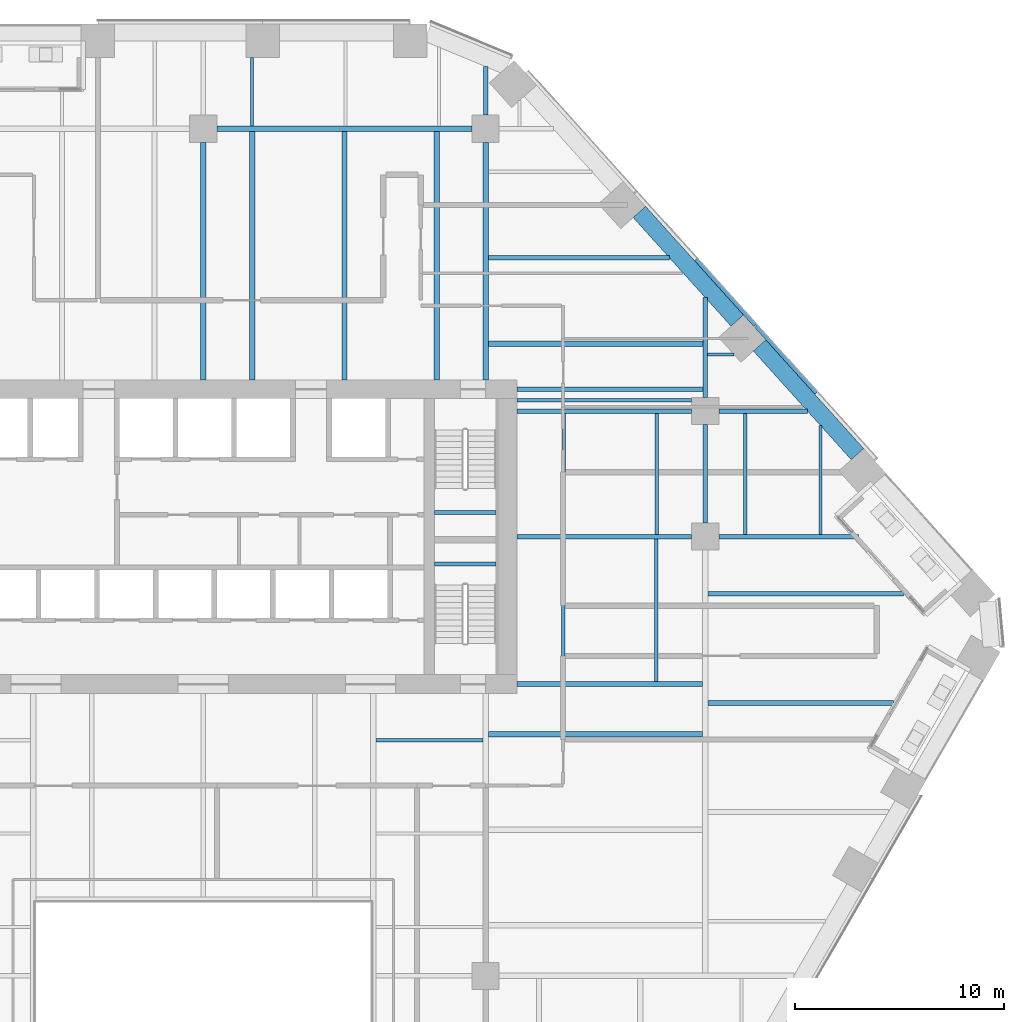
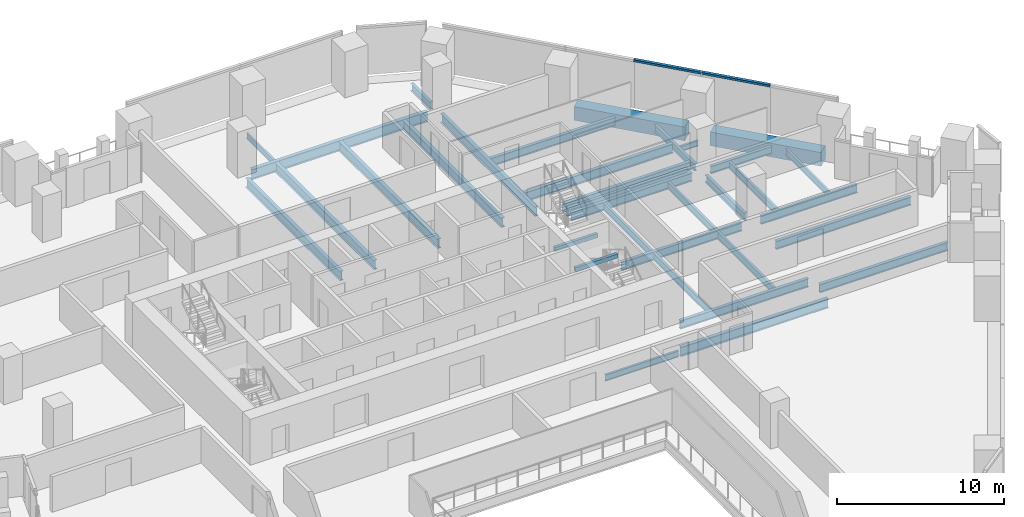
# One storey, part 12 of 31: 34 beams, 2 members, 1 element without a shape of its own.
"""IFC4 building model written with IfcOpenShell, lengths in metres."""

from ifc_helpers import new_model, si_unit, direction, frame, origin, origin_2d, place, context, subcontext, project, spatial, rectangle, i_section, extrude, material, layer, layer_set, material_profile, profile_set, type_object, element, aggregate, save


model = new_model("IFC4")

# Units and contexts
model_context = context("Model", 3, precision=1e-05, world=origin(), true_north=direction((0.0, 1.0)))
body_context = subcontext(model_context, "Body", "Model", "MODEL_VIEW")
ifc_project = project(units=[si_unit("LENGTHUNIT", "METRE"), si_unit("AREAUNIT", "SQUARE_METRE"), si_unit("VOLUMEUNIT", "CUBIC_METRE"), si_unit("PLANEANGLEUNIT", "RADIAN"), si_unit("MASSUNIT", "GRAM", prefix="KILO")], contexts=[model_context])

# Site, building, storey
site_placement = place(None, origin())
site = spatial("IfcSite", under=ifc_project, at=site_placement, CompositionType="ELEMENT")
building_placement = place(site_placement, origin())
building = spatial("IfcBuilding", under=site, at=building_placement, Name="Isthmus Gate Tower", CompositionType="ELEMENT")
storey_placement = place(building_placement, frame((0.0, 0.0, 113.5)))
storey = spatial("IfcBuildingStorey", under=building, at=storey_placement, Name="L27", CompositionType="ELEMENT", Elevation=113.5)

# Curtain wall, members
ifc_material_1 = material(Name="Aluminium, pale champagne anodised", Category="aluminium")
ifc_layer = layer(ifc_material_1, 0.199951171875)
ifc_layer_set = layer_set([ifc_layer], Name="CW-1 UNITISED CURTAIN WALL 200 DEEP")
curtain_wall_type = type_object("IfcCurtainWallType", Name="CW-1 UNITISED CURTAIN WALL 200 DEEP", PredefinedType="NOTDEFINED", material=ifc_layer_set)
curtain_wall_placement = place(storey_placement, origin())
curtain_wall = element("IfcCurtainWall", 1, at=curtain_wall_placement, inside=storey, type_object=curtain_wall_type, Name="CW-1 NE L27", PredefinedType="NOTDEFINED")
ifc_material_2 = material(Name="Aluminium, pale champagne anodised", Category="aluminium")
ifc_material_profile_1 = material_profile(ifc_material_2, rectangle(XDim=0.199951171875, YDim=0.14990234375, at=origin_2d()), Name="200x150")
ifc_profile_set_1 = profile_set([ifc_material_profile_1], Name="Aluminium, pale champagne anodised")
member_type = type_object("IfcMemberType", Name="CW-1 TRANSOM 200 X 150", PredefinedType="USERDEFINED", material=ifc_profile_set_1)
member_1_placement = place(storey_placement, frame((29.307861328125, 14.3779296875, 3.574951171875), z_axis=(-0.6690997736, 0.74317258626, 0.0), x_axis=(-0.74317258626, -0.6690997736, 0.0)))
member_1 = element("IfcMember", 2, at=member_1_placement, type_object=member_type, Name="CW-1 transom", ObjectType="TRANSOM", PredefinedType="USERDEFINED", context=body_context, shape_type="SweptSolid", body=[
    extrude(rectangle(XDim=0.199951171875, YDim=0.14990234375, at=origin_2d()), origin(), (0.0, 0.0, 1.0), 4.294677734375),
])
member_2_placement = place(storey_placement, frame((26.39404296875, 17.614013671875, 3.574951171875), z_axis=(-0.669123979474, 0.743150792298, 0.0), x_axis=(-0.743150792298, -0.669123979474, 0.0)))
member_2 = element("IfcMember", 3, at=member_2_placement, type_object=member_type, Name="CW-1 transom", ObjectType="TRANSOM", PredefinedType="USERDEFINED", context=body_context, shape_type="SweptSolid", body=[
    extrude(rectangle(XDim=0.199951171875, YDim=0.14990234375, at=origin_2d()), origin(), (0.0, 0.0, 1.0), 4.234619140625),
])
aggregate(curtain_wall, [member_1, member_2])

# Beams
ifc_material_3 = material(Name="Concrete f'c 70 MPa", Category="concrete")
ifc_material_profile_2 = material_profile(ifc_material_3, rectangle(XDim=0.800048828125, YDim=1.0, at=origin_2d()), Name="RC 800X1000")
ifc_profile_set_2 = profile_set([ifc_material_profile_2], Name="Concrete f'c 70 MPa")
beam_type_1 = type_object("IfcBeamType", Name="RC SPANDREL 800 X 1000", PredefinedType="SPANDREL", material=ifc_profile_set_2)
for number, where, z_axis, x_axis, name in (
    (4, (20.8505859375, 23.0234375, -0.5), (0.669128753615, -0.743146493691, 0.0), (0.743146493691, 0.669128753615, 0.0), "str-spandrel-L27-02"),
    (5, (26.597900390625, 16.640380859375, -0.5), (0.669128753615, -0.743146493691, 0.0), (0.743146493691, 0.669128753615, 0.0), "str-spandrel-L27-03"),
):
    element("IfcBeam", number, at=place(storey_placement, frame(where, z_axis=z_axis, x_axis=x_axis)), inside=storey, type_object=beam_type_1, Name=name, PredefinedType="SPANDREL", context=body_context, shape_type="SweptSolid", body=[
        extrude(rectangle(XDim=0.800048828125, YDim=1.0, at=origin_2d()), origin(), (0.0, 0.0, 1.0), 6.9892578125),
    ])
ifc_material_4 = material(Name="Concrete f'c 40 MPa", Category="concrete")
ifc_material_profile_3 = material_profile(ifc_material_4, rectangle(XDim=0.199951171875, YDim=0.300048828125, at=origin_2d()), Name="STAIR LANDING BEAM RC 200 X 300")
ifc_profile_set_3 = profile_set([ifc_material_profile_3], Name="Concrete f'c 40 MPa")
beam_type_2 = type_object("IfcBeamType", Name="STAIR LANDING BEAM RC 200 X 300", PredefinedType="BEAM", material=ifc_profile_set_3)
for number, where, z_axis, x_axis, name in (
    (6, (11.050048828125, 8.64990234375, 1.47509765625), (1.0, 0.0, 0.0), (0.0, 1.0, 0.0), "L27 ST2 landing beam 1"),
    (7, (11.050048828125, 6.199951171875, 1.47509765625), (1.0, 0.0, 0.0), (0.0, 1.0, 0.0), "L27 ST8 landing beam 1"),
):
    element("IfcBeam", number, at=place(storey_placement, frame(where, z_axis=z_axis, x_axis=x_axis)), inside=storey, type_object=beam_type_2, Name=name, PredefinedType="BEAM", context=body_context, shape_type="SweptSolid", body=[
        extrude(rectangle(XDim=0.199951171875, YDim=0.300048828125, at=origin_2d()), origin(), (0.0, 0.0, 1.0), 2.949951171875),
    ])
ifc_material_5 = material(Name="Structural steel ASTM A992 Gr 50", Category="steel")
ifc_material_profile_4 = material_profile(ifc_material_5, i_section(OverallWidth=0.1396484375, OverallDepth=0.4033203125, WebThickness=0.00634765625, FlangeThickness=0.010986328125, at=origin_2d()), Name="W16X31")
ifc_profile_set_4 = profile_set([ifc_material_profile_4], Name="Structural steel ASTM A992 Gr 50")
beam_type_3 = type_object("IfcBeamType", Name="STEEL FLOOR BEAM W16X31", PredefinedType="JOIST", material=ifc_profile_set_4)
beam_1_placement = place(storey_placement, frame((2.33740234375, 27.1318359375, -0.3515625), z_axis=(0.0, 1.0, 0.0), x_axis=(-1.0, 0.0, 0.0)))
element("IfcBeam", 8, at=beam_1_placement, inside=storey, type_object=beam_type_3, Name="str-beam-L27-23-00", PredefinedType="JOIST", context=body_context, shape_type="SweptSolid", body=[
    extrude(i_section(OverallWidth=0.1396484375, OverallDepth=0.4033203125, WebThickness=0.00634765625, FlangeThickness=0.010986328125, at=origin_2d()), origin(), (0.0, 0.0, 1.0), 3.26806640625),
])
beam_2_placement = place(storey_placement, frame((24.104736328125, 16.208251953125, -0.3515625), z_axis=(1.0, 0.0, 0.0), x_axis=(0.0, 1.0, 0.0)))
element("IfcBeam", 9, at=beam_2_placement, inside=storey, type_object=beam_type_3, Name="str-beam-L27-36-00", PredefinedType="JOIST", context=body_context, shape_type="SweptSolid", body=[
    extrude(i_section(OverallWidth=0.1396484375, OverallDepth=0.4033203125, WebThickness=0.00634765625, FlangeThickness=0.010986328125, at=origin_2d()), origin(), (0.0, 0.0, 1.0), 1.267578125),
])
ifc_material_6 = material(Name="Structural steel ASTM A992 Gr 50", Category="steel")
ifc_material_profile_5 = material_profile(ifc_material_6, i_section(OverallWidth=0.15234375, OverallDepth=0.45068359375, WebThickness=0.0078125, FlangeThickness=0.010986328125, at=origin_2d()), Name="W18X35")
ifc_profile_set_5 = profile_set([ifc_material_profile_5], Name="Structural steel ASTM A992 Gr 50")
beam_type_4 = type_object("IfcBeamType", Name="STEEL FLOOR BEAM W18X35", PredefinedType="JOIST", material=ifc_profile_set_5)
beam_3_placement = place(storey_placement, frame((8.263427734375, -2.232421875, -0.37548828125), z_axis=(1.0, 0.0, 0.0), x_axis=(0.0, 1.0, 0.0)))
element("IfcBeam", 10, at=beam_3_placement, inside=storey, type_object=beam_type_4, Name="str-beam-L27-27-02", PredefinedType="JOIST", context=body_context, shape_type="SweptSolid", body=[
    extrude(i_section(OverallWidth=0.15234375, OverallDepth=0.45068359375, WebThickness=0.0078125, FlangeThickness=0.010986328125, at=origin_2d()), origin(), (0.0, 0.0, 1.0), 5.104736328125),
])
beam_4_placement = place(storey_placement, frame((29.51123046875, 7.6142578125, -0.37548828125), z_axis=(0.0, 1.0, 0.0), x_axis=(-1.0, 0.0, 0.0)))
element("IfcBeam", 11, at=beam_4_placement, inside=storey, type_object=beam_type_4, Name="str-beam-L27-37-01", PredefinedType="JOIST", context=body_context, shape_type="SweptSolid", body=[
    extrude(i_section(OverallWidth=0.15234375, OverallDepth=0.45068359375, WebThickness=0.0078125, FlangeThickness=0.010986328125, at=origin_2d()), origin(), (0.0, 0.0, 1.0), 5.19287109375),
])
ifc_material_7 = material(Name="Structural steel ASTM A992 Gr 50", Category="steel")
ifc_material_profile_6 = material_profile(ifc_material_7, i_section(OverallWidth=0.1650390625, OverallDepth=0.52392578125, WebThickness=0.009521484375, FlangeThickness=0.010986328125, at=origin_2d()), Name="W21X44")
ifc_profile_set_6 = profile_set([ifc_material_profile_6], Name="Structural steel ASTM A992 Gr 50")
beam_type_5 = type_object("IfcBeamType", Name="STEEL FLOOR BEAM W21X44", PredefinedType="JOIST", material=ifc_profile_set_6)
for number, where, z_axis, x_axis, name in (
    (12, (17.223876953125, 7.6142578125, -0.411865234375), (0.0, 1.0, 0.0), (-1.0, 0.0, 0.0), "str-beam-L27-34-00"),
    (13, (21.67138671875, 7.6142578125, -0.411865234375), (0.0, 1.0, 0.0), (-1.0, 0.0, 0.0), "str-beam-L27-34-01"),
):
    element("IfcBeam", number, at=place(storey_placement, frame(where, z_axis=z_axis, x_axis=x_axis)), inside=storey, type_object=beam_type_5, Name=name, PredefinedType="JOIST", context=body_context, shape_type="SweptSolid", body=[
        extrude(i_section(OverallWidth=0.1650390625, OverallDepth=0.52392578125, WebThickness=0.009521484375, FlangeThickness=0.010986328125, at=origin_2d()), origin(), (0.0, 0.0, 1.0), 5.771484375),
    ])
for number, where, z_axis, x_axis, name in (
    (14, (17.216552734375, 0.564208984375, -0.411865234375), (0.0, 1.0, 0.0), (-1.0, 0.0, 0.0), "str-beam-L27-35-00"),
    (15, (21.64990234375, 0.564208984375, -0.411865234375), (0.0, 1.0, 0.0), (-1.0, 0.0, 0.0), "str-beam-L27-35-01"),
):
    element("IfcBeam", number, at=place(storey_placement, frame(where, z_axis=z_axis, x_axis=x_axis)), inside=storey, type_object=beam_type_5, Name=name, PredefinedType="JOIST", context=body_context, shape_type="SweptSolid", body=[
        extrude(i_section(OverallWidth=0.1650390625, OverallDepth=0.52392578125, WebThickness=0.009521484375, FlangeThickness=0.010986328125, at=origin_2d()), origin(), (0.0, 0.0, 1.0), 6.821533203125),
    ])
beam_5_placement = place(storey_placement, frame((25.906982421875, 7.6142578125, -0.411865234375), z_axis=(0.0, 1.0, 0.0), x_axis=(-1.0, 0.0, 0.0)))
element("IfcBeam", 16, at=beam_5_placement, inside=storey, type_object=beam_type_5, Name="str-beam-L27-37-00", PredefinedType="JOIST", context=body_context, shape_type="SweptSolid", body=[
    extrude(i_section(OverallWidth=0.1650390625, OverallDepth=0.52392578125, WebThickness=0.009521484375, FlangeThickness=0.010986328125, at=origin_2d()), origin(), (0.0, 0.0, 1.0), 5.781005859375),
])
ifc_material_8 = material(Name="Structural steel ASTM A992 Gr 50", Category="steel")
ifc_material_profile_7 = material_profile(ifc_material_8, i_section(OverallWidth=0.177734375, OverallDepth=0.60009765625, WebThickness=0.009521484375, FlangeThickness=0.0126953125, at=origin_2d()), Name="W24X55")
ifc_profile_set_7 = profile_set([ifc_material_profile_7], Name="Structural steel ASTM A992 Gr 50")
beam_type_6 = type_object("IfcBeamType", Name="STEEL FLOOR BEAM W24X55", PredefinedType="JOIST", material=ifc_profile_set_7)
beam_6_placement = place(storey_placement, frame((15.0, 14.02490234375, -0.449951171875), z_axis=(1.0, 0.0, 0.0), x_axis=(0.0, 1.0, 0.0)))
element("IfcBeam", 17, at=beam_6_placement, inside=storey, type_object=beam_type_6, Name="str-beam-L27-32-00", PredefinedType="JOIST", context=body_context, shape_type="SweptSolid", body=[
    extrude(i_section(OverallWidth=0.177734375, OverallDepth=0.60009765625, WebThickness=0.009521484375, FlangeThickness=0.0126953125, at=origin_2d()), origin(), (0.0, 0.0, 1.0), 8.35009765625),
])
ifc_material_9 = material(Name="Structural steel ASTM A992 Gr 50", Category="steel")
ifc_material_profile_8 = material_profile(ifc_material_9, i_section(OverallWidth=0.228515625, OverallDepth=0.603271484375, WebThickness=0.010986328125, FlangeThickness=0.014404296875, at=origin_2d()), Name="W24X68")
ifc_profile_set_8 = profile_set([ifc_material_profile_8], Name="Structural steel ASTM A992 Gr 50")
beam_type_7 = type_object("IfcBeamType", Name="STEEL FLOOR BEAM W24X68", PredefinedType="JOIST", material=ifc_profile_set_8)
beam_7_placement = place(storey_placement, frame((13.626953125, 20.83203125, -0.45166015625), z_axis=(1.0, 0.0, 0.0), x_axis=(0.0, 1.0, 0.0)))
element("IfcBeam", 18, at=beam_7_placement, inside=storey, type_object=beam_type_7, Name="str-beam-L27-30-01", PredefinedType="JOIST", context=body_context, shape_type="SweptSolid", body=[
    extrude(i_section(OverallWidth=0.228515625, OverallDepth=0.603271484375, WebThickness=0.010986328125, FlangeThickness=0.014404296875, at=origin_2d()), origin(), (0.0, 0.0, 1.0), 8.658447265625),
])
beam_8_placement = place(storey_placement, frame((24.13330078125, -0.446533203125, -0.45166015625), z_axis=(1.0, 0.0, 0.0), x_axis=(0.0, 1.0, 0.0)))
element("IfcBeam", 19, at=beam_8_placement, inside=storey, type_object=beam_type_7, Name="str-beam-L27-38-02", PredefinedType="JOIST", context=body_context, shape_type="SweptSolid", body=[
    extrude(i_section(OverallWidth=0.228515625, OverallDepth=0.603271484375, WebThickness=0.010986328125, FlangeThickness=0.014404296875, at=origin_2d()), origin(), (0.0, 0.0, 1.0), 8.853271484375),
])
beam_9_placement = place(storey_placement, frame((24.13330078125, 4.77490234375, -0.45166015625), z_axis=(1.0, 0.0, 0.0), x_axis=(0.0, 1.0, 0.0)))
element("IfcBeam", 20, at=beam_9_placement, inside=storey, type_object=beam_type_7, Name="str-beam-L27-38-03", PredefinedType="JOIST", context=body_context, shape_type="SweptSolid", body=[
    extrude(i_section(OverallWidth=0.228515625, OverallDepth=0.603271484375, WebThickness=0.010986328125, FlangeThickness=0.014404296875, at=origin_2d()), origin(), (0.0, 0.0, 1.0), 9.342041015625),
])
ifc_material_10 = material(Name="Structural steel ASTM A992 Gr 50", Category="steel")
ifc_material_profile_9 = material_profile(ifc_material_10, i_section(OverallWidth=0.25390625, OverallDepth=0.679443359375, WebThickness=0.010986328125, FlangeThickness=0.015869140625, at=origin_2d()), Name="W27X84")
ifc_profile_set_9 = profile_set([ifc_material_profile_9], Name="Structural steel ASTM A992 Gr 50")
beam_type_8 = type_object("IfcBeamType", Name="STEEL FLOOR BEAM W27X84", PredefinedType="JOIST", material=ifc_profile_set_9)
for number, where, z_axis, x_axis, name in (
    (21, (2.334716796875, 15.0, -0.48974609375), (0.0, 1.0, 0.0), (-1.0, 0.0, 0.0), "str-beam-L27-24-00"),
    (22, (6.75, 15.0, -0.48974609375), (0.0, 1.0, 0.0), (-1.0, 0.0, 0.0), "str-beam-L27-24-01"),
    (23, (11.165283203125, 15.0, -0.48974609375), (0.0, 1.0, 0.0), (-1.0, 0.0, 0.0), "str-beam-L27-24-02"),
):
    element("IfcBeam", number, at=place(storey_placement, frame(where, z_axis=z_axis, x_axis=x_axis)), inside=storey, type_object=beam_type_8, Name=name, PredefinedType="JOIST", context=body_context, shape_type="SweptSolid", body=[
        extrude(i_section(OverallWidth=0.25390625, OverallDepth=0.679443359375, WebThickness=0.010986328125, FlangeThickness=0.015869140625, at=origin_2d()), origin(), (0.0, 0.0, 1.0), 11.8681640625),
    ])
beam_10_placement = place(storey_placement, frame((13.626953125, 16.72021484375, -0.48974609375), z_axis=(1.0, 0.0, 0.0), x_axis=(0.0, 1.0, 0.0)))
element("IfcBeam", 24, at=beam_10_placement, inside=storey, type_object=beam_type_8, Name="str-beam-L27-30-00", PredefinedType="JOIST", context=body_context, shape_type="SweptSolid", body=[
    extrude(i_section(OverallWidth=0.25390625, OverallDepth=0.679443359375, WebThickness=0.010986328125, FlangeThickness=0.015869140625, at=origin_2d()), origin(), (0.0, 0.0, 1.0), 10.268310546875),
])
beam_11_placement = place(storey_placement, frame((13.6318359375, -1.947998046875, -0.48974609375), z_axis=(1.0, 0.0, 0.0), x_axis=(0.0, 1.0, 0.0)))
element("IfcBeam", 25, at=beam_11_placement, inside=storey, type_object=beam_type_8, Name="str-beam-L27-31-02", PredefinedType="JOIST", context=body_context, shape_type="SweptSolid", body=[
    extrude(i_section(OverallWidth=0.25390625, OverallDepth=0.679443359375, WebThickness=0.010986328125, FlangeThickness=0.015869140625, at=origin_2d()), origin(), (0.0, 0.0, 1.0), 10.23486328125),
])
ifc_material_11 = material(Name="Structural steel ASTM A992 Gr 50", Category="steel")
ifc_material_profile_10 = material_profile(ifc_material_11, i_section(OverallWidth=0.20947265625, OverallDepth=0.533447265625, WebThickness=0.009521484375, FlangeThickness=0.015869140625, at=origin_2d()), Name="W21X62")
ifc_profile_set_10 = profile_set([ifc_material_profile_10], Name="Structural steel ASTM A992 Gr 50")
beam_type_9 = type_object("IfcBeamType", Name="STEEL GIRDER W21X62", PredefinedType="BEAM", material=ifc_profile_set_10)
beam_12_placement = place(storey_placement, frame((24.64990234375, 13.5, -0.416748046875), z_axis=(1.0, 0.0, 0.0), x_axis=(0.0, 1.0, 0.0)))
element("IfcBeam", 26, at=beam_12_placement, inside=storey, type_object=beam_type_9, Name="str-girder-L27-16", PredefinedType="BEAM", context=body_context, shape_type="SweptSolid", body=[
    extrude(i_section(OverallWidth=0.20947265625, OverallDepth=0.533447265625, WebThickness=0.009521484375, FlangeThickness=0.015869140625, at=origin_2d()), origin(), (0.0, 0.0, 1.0), 4.2373046875),
])
beam_13_placement = place(storey_placement, frame((13.5, 27.64990234375, -0.416748046875), z_axis=(0.0, 1.0, 0.0), x_axis=(-1.0, 0.0, 0.0)))
element("IfcBeam", 27, at=beam_13_placement, inside=storey, type_object=beam_type_9, Name="str-girder-L27-35", PredefinedType="BEAM", context=body_context, shape_type="SweptSolid", body=[
    extrude(i_section(OverallWidth=0.20947265625, OverallDepth=0.533447265625, WebThickness=0.009521484375, FlangeThickness=0.015869140625, at=origin_2d()), origin(), (0.0, 0.0, 1.0), 2.320068359375),
])
beam_14_placement = place(storey_placement, frame((24.0, 8.14990234375, -0.416748046875), z_axis=(0.0, 1.0, 0.0), x_axis=(-1.0, 0.0, 0.0)))
element("IfcBeam", 28, at=beam_14_placement, inside=storey, type_object=beam_type_9, Name="str-girder-L27-37", PredefinedType="BEAM", context=body_context, shape_type="SweptSolid", body=[
    extrude(i_section(OverallWidth=0.20947265625, OverallDepth=0.533447265625, WebThickness=0.009521484375, FlangeThickness=0.015869140625, at=origin_2d()), origin(), (0.0, 0.0, 1.0), 4.7001953125),
])
beam_15_placement = place(storey_placement, frame((24.0, 14.14990234375, -0.416748046875), z_axis=(0.0, 1.0, 0.0), x_axis=(-1.0, 0.0, 0.0)))
element("IfcBeam", 29, at=beam_15_placement, inside=storey, type_object=beam_type_9, Name="str-girder-L27-38", PredefinedType="BEAM", context=body_context, shape_type="SweptSolid", body=[
    extrude(i_section(OverallWidth=0.20947265625, OverallDepth=0.533447265625, WebThickness=0.009521484375, FlangeThickness=0.015869140625, at=origin_2d()), origin(), (0.0, 0.0, 1.0), 4.778076171875),
])
ifc_material_12 = material(Name="Structural steel ASTM A992 Gr 50", Category="steel")
ifc_material_profile_11 = material_profile(ifc_material_12, i_section(OverallWidth=0.228515625, OverallDepth=0.603271484375, WebThickness=0.010986328125, FlangeThickness=0.014404296875, at=origin_2d()), Name="W24X68")
ifc_profile_set_11 = profile_set([ifc_material_profile_11], Name="Structural steel ASTM A992 Gr 50")
beam_type_10 = type_object("IfcBeamType", Name="STEEL GIRDER W24X68", PredefinedType="BEAM", material=ifc_profile_set_11)
beam_16_placement = place(storey_placement, frame((24.64990234375, 7.5, -0.45166015625), z_axis=(1.0, 0.0, 0.0), x_axis=(0.0, 1.0, 0.0)))
element("IfcBeam", 30, at=beam_16_placement, inside=storey, type_object=beam_type_10, Name="str-girder-L27-12", PredefinedType="BEAM", context=body_context, shape_type="SweptSolid", body=[
    extrude(i_section(OverallWidth=0.228515625, OverallDepth=0.603271484375, WebThickness=0.010986328125, FlangeThickness=0.014404296875, at=origin_2d()), origin(), (0.0, 0.0, 1.0), 6.679443359375),
])
ifc_material_13 = material(Name="Structural steel ASTM A992 Gr 50", Category="steel")
ifc_material_profile_12 = material_profile(ifc_material_13, i_section(OverallWidth=0.228515625, OverallDepth=0.6064453125, WebThickness=0.010986328125, FlangeThickness=0.017578125, at=origin_2d()), Name="W24X76")
ifc_profile_set_12 = profile_set([ifc_material_profile_12], Name="Structural steel ASTM A992 Gr 50")
beam_type_11 = type_object("IfcBeamType", Name="STEEL GIRDER W24X76", PredefinedType="BEAM", material=ifc_profile_set_12)
for number, where, z_axis, x_axis, name in (
    (31, (15.0, 7.5, -0.453125), (1.0, 0.0, 0.0), (0.0, 1.0, 0.0), "str-girder-L27-11"),
    (32, (15.0, 13.5, -0.453125), (1.0, 0.0, 0.0), (0.0, 1.0, 0.0), "str-girder-L27-15"),
):
    element("IfcBeam", number, at=place(storey_placement, frame(where, z_axis=z_axis, x_axis=x_axis)), inside=storey, type_object=beam_type_11, Name=name, PredefinedType="BEAM", context=body_context, shape_type="SweptSolid", body=[
        extrude(i_section(OverallWidth=0.228515625, OverallDepth=0.6064453125, WebThickness=0.010986328125, FlangeThickness=0.017578125, at=origin_2d()), origin(), (0.0, 0.0, 1.0), 8.35009765625),
    ])
beam_17_placement = place(storey_placement, frame((15.0, 0.449951171875, -0.453125), z_axis=(1.0, 0.0, 0.0), x_axis=(0.0, 1.0, 0.0)))
element("IfcBeam", 33, at=beam_17_placement, inside=storey, type_object=beam_type_11, Name="str-girder-L27-40", PredefinedType="BEAM", context=body_context, shape_type="SweptSolid", body=[
    extrude(i_section(OverallWidth=0.228515625, OverallDepth=0.6064453125, WebThickness=0.010986328125, FlangeThickness=0.017578125, at=origin_2d()), origin(), (0.0, 0.0, 1.0), 8.86669921875),
])
beam_18_placement = place(storey_placement, frame((15.0, 14.550048828125, -0.453125), z_axis=(1.0, 0.0, 0.0), x_axis=(0.0, 1.0, 0.0)))
element("IfcBeam", 34, at=beam_18_placement, inside=storey, type_object=beam_type_11, Name="str-girder-L27-42", PredefinedType="BEAM", context=body_context, shape_type="SweptSolid", body=[
    extrude(i_section(OverallWidth=0.228515625, OverallDepth=0.6064453125, WebThickness=0.010986328125, FlangeThickness=0.017578125, at=origin_2d()), origin(), (0.0, 0.0, 1.0), 8.895263671875),
])
ifc_material_14 = material(Name="Structural steel ASTM A992 Gr 50", Category="steel")
ifc_material_profile_13 = material_profile(ifc_material_14, i_section(OverallWidth=0.25390625, OverallDepth=0.679443359375, WebThickness=0.010986328125, FlangeThickness=0.015869140625, at=origin_2d()), Name="W27X84")
ifc_profile_set_13 = profile_set([ifc_material_profile_13], Name="Structural steel ASTM A992 Gr 50")
beam_type_12 = type_object("IfcBeamType", Name="STEEL GIRDER W27X84", PredefinedType="BEAM", material=ifc_profile_set_13)
for number, where, z_axis, x_axis, name in (
    (35, (0.0, 15.0, -0.48974609375), (0.0, 1.0, 0.0), (-1.0, 0.0, 0.0), "str-girder-L27-30"),
    (36, (13.5, 15.0, -0.48974609375), (0.0, 1.0, 0.0), (-1.0, 0.0, 0.0), "str-girder-L27-34"),
):
    element("IfcBeam", number, at=place(storey_placement, frame(where, z_axis=z_axis, x_axis=x_axis)), inside=storey, type_object=beam_type_12, Name=name, PredefinedType="BEAM", context=body_context, shape_type="SweptSolid", body=[
        extrude(i_section(OverallWidth=0.25390625, OverallDepth=0.679443359375, WebThickness=0.010986328125, FlangeThickness=0.015869140625, at=origin_2d()), origin(), (0.0, 0.0, 1.0), 11.35009765625),
    ])
ifc_material_15 = material(Name="Structural steel ASTM A992 Gr 50", Category="steel")
ifc_material_profile_14 = material_profile(ifc_material_15, i_section(OverallWidth=0.263427734375, OverallDepth=0.749267578125, WebThickness=0.0126953125, FlangeThickness=0.015869140625, at=origin_2d()), Name="W30X90")
ifc_profile_set_14 = profile_set([ifc_material_profile_14], Name="Structural steel ASTM A992 Gr 50")
beam_type_13 = type_object("IfcBeamType", Name="STEEL GIRDER W30X90", PredefinedType="BEAM", material=ifc_profile_set_14)
beam_19_placement = place(storey_placement, frame((0.64990234375, 27.0, -0.524658203125), z_axis=(1.0, 0.0, 0.0), x_axis=(0.0, 1.0, 0.0)))
element("IfcBeam", 37, at=beam_19_placement, inside=storey, type_object=beam_type_13, Name="str-girder-L27-19", PredefinedType="BEAM", context=body_context, shape_type="SweptSolid", body=[
    extrude(i_section(OverallWidth=0.263427734375, OverallDepth=0.749267578125, WebThickness=0.0126953125, FlangeThickness=0.015869140625, at=origin_2d()), origin(), (0.0, 0.0, 1.0), 12.2001953125),
])

save(model, "model.ifc")
